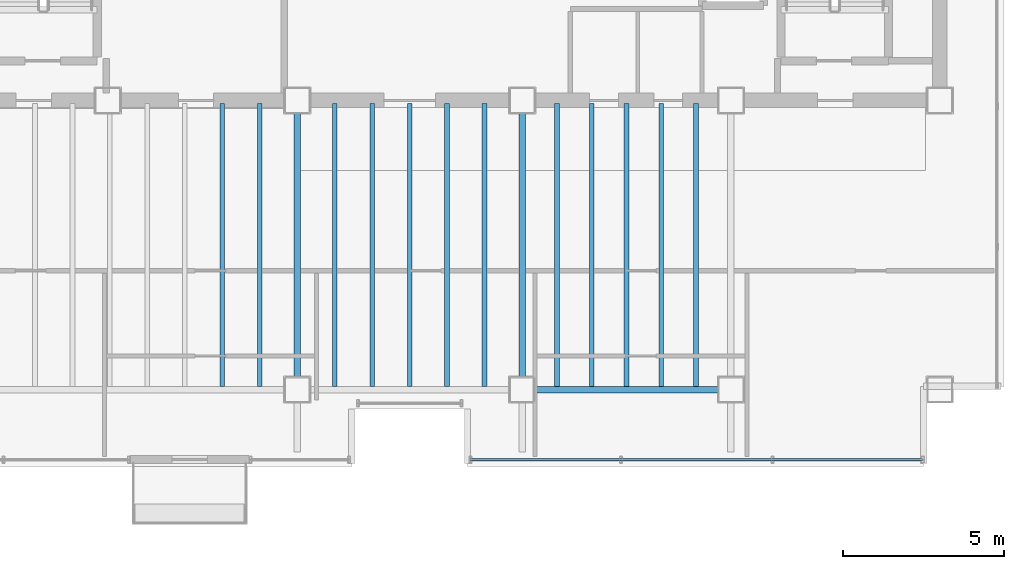
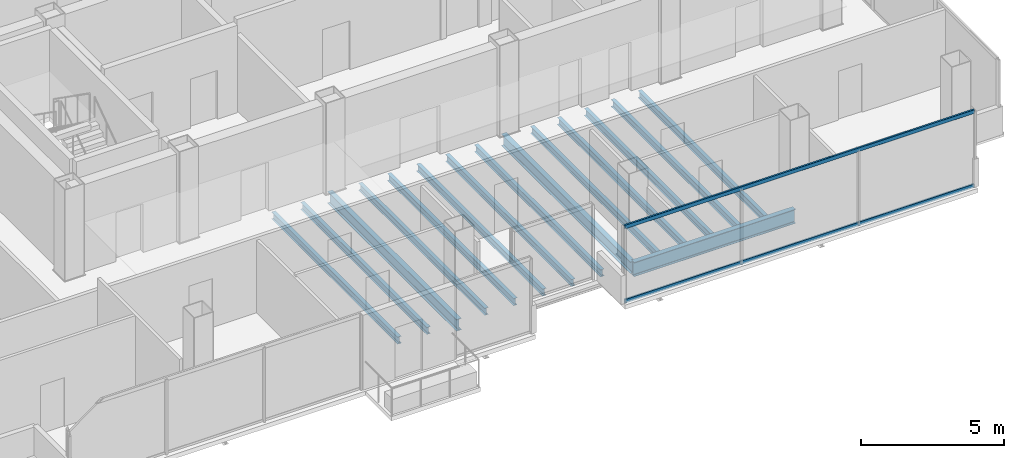
# One storey, part 6 of 16: 15 beams, 2 members, 1 element without a shape of its own.
"""IFC4 building model written with IfcOpenShell, lengths in metres."""

from ifc_helpers import new_model, si_unit, direction, frame, origin, origin_2d, place, context, subcontext, project, spatial, hollow_rectangle, i_section, extrude, material, material_profile, profile_set, type_object, element, aggregate, save


model = new_model("IFC4")

# Units and contexts
model_context = context("Model", 3, precision=1e-05, world=origin(), true_north=direction((0.0, 1.0)))
body_context = subcontext(model_context, "Body", "Model", "MODEL_VIEW")
ifc_project = project(units=[si_unit("LENGTHUNIT", "METRE"), si_unit("AREAUNIT", "SQUARE_METRE"), si_unit("VOLUMEUNIT", "CUBIC_METRE"), si_unit("PLANEANGLEUNIT", "RADIAN"), si_unit("MASSUNIT", "GRAM", prefix="KILO")], contexts=[model_context])

# Site, building, storey
site_placement = place(None, origin())
site = spatial("IfcSite", under=ifc_project, at=site_placement, CompositionType="ELEMENT")
building_placement = place(site_placement, origin())
building = spatial("IfcBuilding", under=site, at=building_placement, Name="Noeulbin Bourse Tower", CompositionType="ELEMENT")
storey_placement = place(building_placement, frame((0.0, 0.0, 269.60009765625)))
storey = spatial("IfcBuildingStorey", under=building, at=storey_placement, Name="L67", CompositionType="ELEMENT", Elevation=269.60009765625)

# Beams
ifc_material_1 = material(Name="Steel S355", Category="steel")
ifc_material_profile_1 = material_profile(ifc_material_1, i_section(OverallWidth=0.199951171875, OverallDepth=0.5, WebThickness=0.010009765625, FlangeThickness=0.01611328125, FilletRadius=0.02001953125, at=origin_2d()), Name="H-500x200x10x16", Category="LoadBearing")
ifc_profile_set_1 = profile_set([ifc_material_profile_1], Name="Steel S355")
beam_type_1 = type_object("IfcBeamType", Name="BM-GRD-500", PredefinedType="USERDEFINED", material=ifc_profile_set_1)
for number, where, z_axis, x_axis, name in (
    (1, (24.0, 20.0, -0.43017578125), (0.0, 1.0, 0.0), (-1.0, 0.0, 0.0), "Tower Primary Girder NS L67-2.2"),
    (2, (31.0, 20.0, -0.43017578125), (0.0, 1.0, 0.0), (-1.0, 0.0, 0.0), "Tower Primary Girder NS L67-3.2"),
):
    element("IfcBeam", number, at=place(storey_placement, frame(where, z_axis=z_axis, x_axis=x_axis)), inside=storey, type_object=beam_type_1, Name=name, ObjectType="GIRDER", PredefinedType="USERDEFINED", context=body_context, shape_type="SweptSolid", body=[
        extrude(i_section(OverallWidth=0.199951171875, OverallDepth=0.5, WebThickness=0.010009765625, FlangeThickness=0.01611328125, FilletRadius=0.02001953125, at=origin_2d()), origin(), (0.0, 0.0, 1.0), 9.0),
    ])
ifc_material_profile_2 = material_profile(ifc_material_1, i_section(OverallWidth=0.199951171875, OverallDepth=0.60009765625, WebThickness=0.010986328125, FlangeThickness=0.01708984375, FilletRadius=0.02197265625, at=origin_2d()), Name="H-600x200x11x17", Category="LoadBearing")
ifc_profile_set_2 = profile_set([ifc_material_profile_2], Name="Steel S355")
beam_type_2 = type_object("IfcBeamType", Name="BM-GRD-600", PredefinedType="USERDEFINED", material=ifc_profile_set_2)
beam_placement = place(storey_placement, frame((31.0, 20.0, -0.47998046875), z_axis=(1.0, 0.0, 0.0), x_axis=(0.0, 1.0, 0.0)))
element("IfcBeam", 3, at=beam_placement, inside=storey, type_object=beam_type_2, Name="Tower Primary Girder EW L67-1.3", ObjectType="GIRDER", PredefinedType="USERDEFINED", context=body_context, shape_type="SweptSolid", body=[
    extrude(i_section(OverallWidth=0.199951171875, OverallDepth=0.60009765625, WebThickness=0.010986328125, FlangeThickness=0.01708984375, FilletRadius=0.02197265625, at=origin_2d()), origin(), (0.0, 0.0, 1.0), 6.5),
])
ifc_material_profile_3 = material_profile(ifc_material_1, i_section(OverallWidth=0.14990234375, OverallDepth=0.300048828125, WebThickness=0.006591796875, FlangeThickness=0.009033203125, FilletRadius=0.012939453125, at=origin_2d()), Name="H-300x150x6.5x9", Category="LoadBearing")
ifc_profile_set_3 = profile_set([ifc_material_profile_3], Name="Steel S355")
beam_type_3 = type_object("IfcBeamType", Name="BM-JST-300", PredefinedType="JOIST", material=ifc_profile_set_3)
for number, where, z_axis, x_axis, name in (
    (4, (21.666748046875, 20.10009765625, -0.330078125), (0.0, 1.0, 0.0), (-1.0, 0.0, 0.0), "Tower Composite Joist L67-13"),
    (5, (22.833251953125, 20.10009765625, -0.330078125), (0.0, 1.0, 0.0), (-1.0, 0.0, 0.0), "Tower Composite Joist L67-15"),
    (6, (25.166748046875, 20.10009765625, -0.330078125), (0.0, 1.0, 0.0), (-1.0, 0.0, 0.0), "Tower Composite Joist L67-17"),
    (7, (26.333251953125, 20.10009765625, -0.330078125), (0.0, 1.0, 0.0), (-1.0, 0.0, 0.0), "Tower Composite Joist L67-19"),
    (8, (27.5, 20.10009765625, -0.330078125), (0.0, 1.0, 0.0), (-1.0, 0.0, 0.0), "Tower Composite Joist L67-21"),
    (9, (28.666748046875, 20.10009765625, -0.330078125), (0.0, 1.0, 0.0), (-1.0, 0.0, 0.0), "Tower Composite Joist L67-23"),
    (10, (29.833251953125, 20.10009765625, -0.330078125), (0.0, 1.0, 0.0), (-1.0, 0.0, 0.0), "Tower Composite Joist L67-25"),
    (11, (32.083251953125, 20.10009765625, -0.330078125), (0.0, 1.0, 0.0), (-1.0, 0.0, 0.0), "Tower Composite Joist L67-27"),
    (12, (33.166748046875, 20.10009765625, -0.330078125), (0.0, 1.0, 0.0), (-1.0, 0.0, 0.0), "Tower Composite Joist L67-29"),
    (13, (34.25, 20.10009765625, -0.330078125), (0.0, 1.0, 0.0), (-1.0, 0.0, 0.0), "Tower Composite Joist L67-31"),
    (14, (35.333251953125, 20.10009765625, -0.330078125), (0.0, 1.0, 0.0), (-1.0, 0.0, 0.0), "Tower Composite Joist L67-33"),
    (15, (36.416748046875, 20.10009765625, -0.330078125), (0.0, 1.0, 0.0), (-1.0, 0.0, 0.0), "Tower Composite Joist L67-35"),
):
    element("IfcBeam", number, at=place(storey_placement, frame(where, z_axis=z_axis, x_axis=x_axis)), inside=storey, type_object=beam_type_3, Name=name, PredefinedType="JOIST", context=body_context, shape_type="SweptSolid", body=[
        extrude(i_section(OverallWidth=0.14990234375, OverallDepth=0.300048828125, WebThickness=0.006591796875, FlangeThickness=0.009033203125, FilletRadius=0.012939453125, at=origin_2d()), origin(), (0.0, 0.0, 1.0), 8.7998046875),
    ])

# Curtain wall, members
ifc_material_2 = material(Name="High-Selectivity Low-Iron Glazing", Category="glass")
curtain_wall_type = type_object("IfcCurtainWallType", Name="CW-SYS-4", PredefinedType="NOTDEFINED", material=ifc_material_2)
curtain_wall_placement = place(storey_placement, origin())
curtain_wall = element("IfcCurtainWall", 16, at=curtain_wall_placement, inside=storey, type_object=curtain_wall_type, Name="Unitised Curtain Wall CW-L67-S3", PredefinedType="NOTDEFINED")
ifc_material_3 = material(Name="Anodised Aluminium 6063-T6", Category="aluminium")
ifc_material_profile_4 = material_profile(ifc_material_3, hollow_rectangle(XDim=0.074951171875, YDim=0.159912109375, WallThickness=0.0048828125, InnerFilletRadius=0.00244140625, OuterFilletRadius=0.0048828125, at=origin_2d()), Name="ALU-TRAN-75x160x5", Category="LoadBearing")
ifc_profile_set_4 = profile_set([ifc_material_profile_4], Name="Anodised Aluminium 6063-T6")
member_type = type_object("IfcMemberType", Name="CW-SYS-4-TRN", PredefinedType="USERDEFINED", material=ifc_profile_set_4)
member_1_placement = place(storey_placement, frame((29.39990234375, 17.820068359375, 0.010009765625), z_axis=(1.0, 0.0, 0.0), x_axis=(0.0, 1.0, 0.0)))
member_1 = element("IfcMember", 17, at=member_1_placement, type_object=member_type, Name="Curtain Wall Transom CW-L67-S3-T00", ObjectType="TRANSOM", PredefinedType="USERDEFINED", context=body_context, shape_type="SweptSolid", body=[
    extrude(hollow_rectangle(XDim=0.074951171875, YDim=0.159912109375, WallThickness=0.0048828125, InnerFilletRadius=0.00244140625, OuterFilletRadius=0.0048828125, at=origin_2d()), origin(), (0.0, 0.0, 1.0), 14.070068359375),
])
member_2_placement = place(storey_placement, frame((29.39990234375, 17.820068359375, 3.169921875), z_axis=(1.0, 0.0, 0.0), x_axis=(0.0, 1.0, 0.0)))
member_2 = element("IfcMember", 18, at=member_2_placement, type_object=member_type, Name="Curtain Wall Transom CW-L67-S3-T01", ObjectType="TRANSOM", PredefinedType="USERDEFINED", context=body_context, shape_type="SweptSolid", body=[
    extrude(hollow_rectangle(XDim=0.074951171875, YDim=0.159912109375, WallThickness=0.0048828125, InnerFilletRadius=0.00244140625, OuterFilletRadius=0.0048828125, at=origin_2d()), origin(), (0.0, 0.0, 1.0), 14.070068359375),
])
aggregate(curtain_wall, [member_1, member_2])

save(model, "model.ifc")
